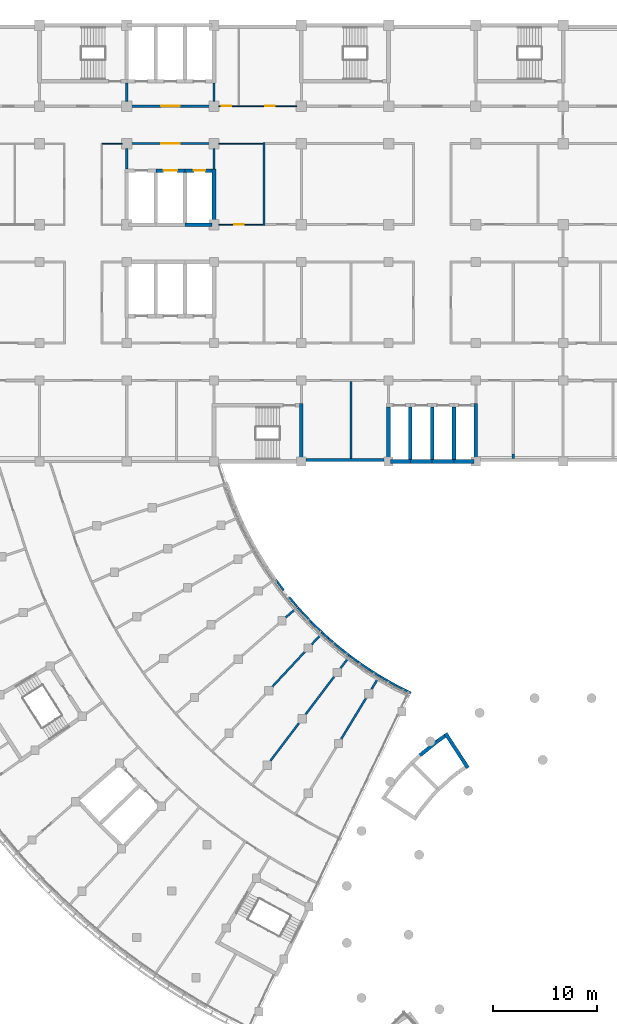
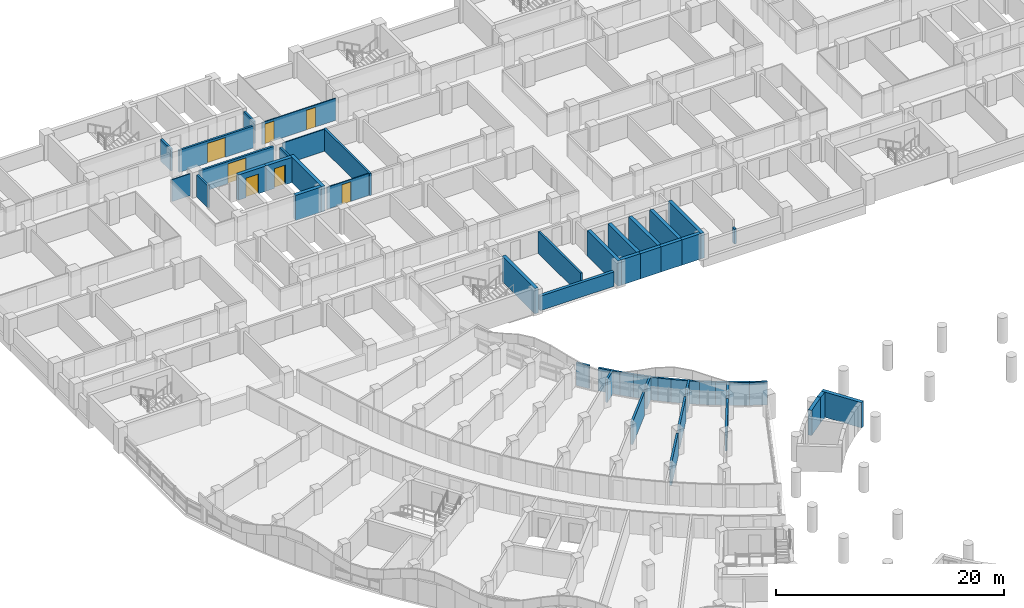
# One storey, part 46 of 89: 52 walls, 7 doors, 7 openings.
"""IFC4 building model written with IfcOpenShell, lengths in metres."""

from ifc_helpers import new_model, si_unit, direction, frame, frame_2d, origin, place, context, subcontext, project, spatial, rectangle, extrude, material, layer, layer_set, type_object, element, fill, save


model = new_model("IFC4")

# Units and contexts
model_context = context("Model", 3, precision=1e-05, world=origin(), true_north=direction((0.0, 1.0)))
body_context = subcontext(model_context, "Body", "Model", "MODEL_VIEW")
ifc_project = project(units=[si_unit("LENGTHUNIT", "METRE"), si_unit("AREAUNIT", "SQUARE_METRE"), si_unit("VOLUMEUNIT", "CUBIC_METRE"), si_unit("PLANEANGLEUNIT", "RADIAN"), si_unit("MASSUNIT", "GRAM", prefix="KILO")], contexts=[model_context])

# Site, building, storey
site_placement = place(None, origin())
site = spatial("IfcSite", under=ifc_project, at=site_placement, CompositionType="ELEMENT")
building_placement = place(site_placement, origin())
building = spatial("IfcBuilding", under=site, at=building_placement, Name="Bougainvillea Quay General Hospital", CompositionType="ELEMENT")
storey_placement = place(building_placement, frame((0.0, 0.0, 9.89990234375)))
storey = spatial("IfcBuildingStorey", under=building, at=storey_placement, Name="L01M", CompositionType="ELEMENT", Elevation=9.89990234375)

# Wall
ifc_material_1 = material(Name="Pale stone rainscreen cladding on insulated masonry backing, pale stone", Category="masonry")
ifc_layer_1 = layer(ifc_material_1, 0.300048828125)
ifc_layer_set_1 = layer_set([ifc_layer_1], Name="Pale stone rainscreen cladding on insulated masonry backing, pale stone")
wall_type_1 = type_object("IfcWallType", Name="External wall pale stone rainscreen 300", PredefinedType="STANDARD", material=ifc_layer_set_1)
wall_1_placement = place(storey_placement, frame((84.449951171875, 117.75, 0.0), z_axis=(0.0, 0.0, 1.0), x_axis=(1.0, 0.0, 0.0)))
element("IfcWall", 1, at=wall_1_placement, inside=storey, type_object=wall_type_1, Name="External wall wall/V4/L01M/p1/00a", PredefinedType="STANDARD", context=body_context, shape_type="SweptSolid", body=[
    extrude(rectangle(XDim=7.5, YDim=0.300048828125, at=frame_2d((3.75, 0.0))), origin(), (0.0, 0.0, 1.0), 1.550048828125),
])

# Wall, opening, door
ifc_material_2 = material(Name="Gypsum board partition on steel studs", Category="steel")
ifc_layer_2 = layer(ifc_material_2, 0.10009765625)
ifc_layer_set_2 = layer_set([ifc_layer_2], Name="Gypsum board partition on steel studs")
wall_type_2 = type_object("IfcWallType", Name="Partition 100 Gypsum board partition", PredefinedType="PARTITIONING", material=ifc_layer_set_2)
wall_2_placement = place(storey_placement, frame((80.300048828125, 140.39990234375, 0.0), z_axis=(0.0, 0.0, 1.0), x_axis=(-1.0, 0.0, 0.0)))
wall_2 = element("IfcWall", 2, at=wall_2_placement, inside=storey, type_object=wall_type_2, Name="Partition 100 mm", PredefinedType="PARTITIONING", context=body_context, shape_type="SweptSolid", body=[
    extrude(rectangle(XDim=4.25, YDim=0.10009765625, at=frame_2d((2.125, 0.0))), origin(), (0.0, 0.0, 1.0), 2.35009765625),
])
opening_1_placement = place(wall_2_placement, frame((1.85009765625, 0.0, 0.0)))
opening_1 = element("IfcOpeningElement", 3, at=opening_1_placement, cuts=wall_2, Name="Opening L01M.137", PredefinedType="OPENING", context=body_context, shape_type="SweptSolid", body=[
    extrude(rectangle(XDim=0.89990234375, YDim=2.10009765625, at=frame_2d((0.449951171875, 1.050048828125))), frame((0.0, 0.06005859375, 0.0), z_axis=(0.0, -1.0, 0.0), x_axis=(1.0, 0.0, 0.0)), (0.0, 0.0, 1.0), 0.1201171875),
])
ifc_material_3 = material(Name="Solid-core timber door leaf in steel frame", Category="steel")
door_type_1 = type_object("IfcDoorType", Name="Single leaf door 900x2100", OperationType="NOTDEFINED", PredefinedType="DOOR", material=ifc_material_3)
door_1_placement = place(opening_1_placement, frame((0.89990234375, 0.0, 0.0), z_axis=(0.0, 0.0, 1.0), x_axis=(-1.0, 0.0, 0.0)))
door_1 = element("IfcDoor", 4, at=door_1_placement, inside=storey, type_object=door_type_1, Name="DT07 L01M.137", OperationType="SINGLE_SWING_LEFT", OverallHeight=2.10009765625, OverallWidth=0.89990234375, PredefinedType="DOOR", context=body_context, shape_type="SweptSolid", body=[
    extrude(rectangle(XDim=0.89990234375, YDim=2.10009765625, at=frame_2d((0.449951171875, 1.050048828125))), frame((0.0, 0.02490234375, 0.0), z_axis=(0.0, -1.0, 0.0), x_axis=(1.0, 0.0, 0.0)), (0.0, 0.0, 1.0), 0.050048828125),
])
fill(opening_1, door_1)

# Wall, openings, doors
wall_3_placement = place(storey_placement, frame((76.050048828125, 151.800048828125, 0.0), z_axis=(0.0, 0.0, 1.0), x_axis=(1.0, 0.0, 0.0)))
wall_3 = element("IfcWall", 5, at=wall_3_placement, inside=storey, type_object=wall_type_2, Name="Partition 100 mm", PredefinedType="PARTITIONING", context=body_context, shape_type="SweptSolid", body=[
    extrude(rectangle(XDim=7.5, YDim=0.10009765625, at=frame_2d((3.75, 0.0))), origin(), (0.0, 0.0, 1.0), 2.35009765625),
])
opening_2_placement = place(wall_3_placement, frame((0.299072265625, 0.0, 0.0)))
opening_2 = element("IfcOpeningElement", 6, at=opening_2_placement, cuts=wall_3, Name="Opening L01M.134", PredefinedType="OPENING", context=body_context, shape_type="SweptSolid", body=[
    extrude(rectangle(XDim=0.89990234375, YDim=2.10009765625, at=frame_2d((0.449951171875, 1.050048828125))), frame((0.0, 0.06005859375, 0.0), z_axis=(0.0, -1.0, 0.0), x_axis=(1.0, 0.0, 0.0)), (0.0, 0.0, 1.0), 0.1201171875),
])
opening_3_placement = place(wall_3_placement, frame((4.4990234375, 0.0, 0.0)))
opening_3 = element("IfcOpeningElement", 7, at=opening_3_placement, cuts=wall_3, Name="Opening L01M.135", PredefinedType="OPENING", context=body_context, shape_type="SweptSolid", body=[
    extrude(rectangle(XDim=0.89990234375, YDim=2.10009765625, at=frame_2d((0.449951171875, 1.050048828125))), frame((0.0, 0.06005859375, 0.0), z_axis=(0.0, -1.0, 0.0), x_axis=(1.0, 0.0, 0.0)), (0.0, 0.0, 1.0), 0.1201171875),
])
door_2_placement = place(opening_2_placement, origin())
door_2 = element("IfcDoor", 8, at=door_2_placement, inside=storey, type_object=door_type_1, Name="DT07 L01M.134", OperationType="SINGLE_SWING_LEFT", OverallHeight=2.10009765625, OverallWidth=0.89990234375, PredefinedType="DOOR", context=body_context, shape_type="SweptSolid", body=[
    extrude(rectangle(XDim=0.89990234375, YDim=2.10009765625, at=frame_2d((0.449951171875, 1.050048828125))), frame((0.0, 0.02490234375, 0.0), z_axis=(0.0, -1.0, 0.0), x_axis=(1.0, 0.0, 0.0)), (0.0, 0.0, 1.0), 0.050048828125),
])
fill(opening_2, door_2)
door_3_placement = place(opening_3_placement, origin())
door_3 = element("IfcDoor", 9, at=door_3_placement, inside=storey, type_object=door_type_1, Name="DT07 L01M.135", OperationType="SINGLE_SWING_RIGHT", OverallHeight=2.10009765625, OverallWidth=0.89990234375, PredefinedType="DOOR", context=body_context, shape_type="SweptSolid", body=[
    extrude(rectangle(XDim=0.89990234375, YDim=2.10009765625, at=frame_2d((0.449951171875, 1.050048828125))), frame((0.0, 0.02490234375, 0.0), z_axis=(0.0, -1.0, 0.0), x_axis=(1.0, 0.0, 0.0)), (0.0, 0.0, 1.0), 0.050048828125),
])
fill(opening_3, door_3)

# Walls
wall_4_placement = place(storey_placement, frame((76.050048828125, 148.199951171875, 0.0), z_axis=(0.0, 0.0, 1.0), x_axis=(1.0, 0.0, 0.0)))
element("IfcWall", 10, at=wall_4_placement, inside=storey, type_object=wall_type_2, Name="Partition 100 mm", PredefinedType="PARTITIONING", context=body_context, shape_type="SweptSolid", body=[
    extrude(rectangle(XDim=4.25, YDim=0.10009765625, at=frame_2d((2.125, 0.0))), origin(), (0.0, 0.0, 1.0), 2.35009765625),
])
wall_5_placement = place(storey_placement, frame((64.85009765625, 148.199951171875, 0.0), z_axis=(0.0, 0.0, 1.0), x_axis=(1.0, 0.0, 0.0)))
element("IfcWall", 11, at=wall_5_placement, inside=storey, type_object=wall_type_2, Name="Partition 100 mm", PredefinedType="PARTITIONING", context=body_context, shape_type="SweptSolid", body=[
    extrude(rectangle(XDim=1.89990234375, YDim=0.10009765625, at=frame_2d((0.949951171875, 0.0))), origin(), (0.0, 0.0, 1.0), 2.35009765625),
])

# Wall, opening, door
ifc_material_4 = material(Name="Fire-rated autoclaved aerated block wall, plastered")
ifc_layer_3 = layer(ifc_material_4, 0.199951171875)
ifc_layer_set_3 = layer_set([ifc_layer_3], Name="Fire-rated autoclaved aerated block wall, plastered")
wall_type_3 = type_object("IfcWallType", Name="Partition 200 Fire-rated autoclaved aerated block wall EI 120", PredefinedType="SOLIDWALL", material=ifc_layer_set_3)
wall_6_placement = place(storey_placement, frame((67.64990234375, 151.800048828125, 0.0), z_axis=(0.0, 0.0, 1.0), x_axis=(1.0, 0.0, 0.0)))
wall_6 = element("IfcWall", 12, at=wall_6_placement, inside=storey, type_object=wall_type_3, Name="Partition 200 mm EI 120", PredefinedType="SOLIDWALL", context=body_context, shape_type="SweptSolid", body=[
    extrude(rectangle(XDim=7.5, YDim=0.199951171875, at=frame_2d((3.75, 0.0))), origin(), (0.0, 0.0, 1.0), 2.35009765625),
])
opening_4_placement = place(wall_6_placement, frame((2.85009765625, 0.0, 0.0)))
opening_4 = element("IfcOpeningElement", 13, at=opening_4_placement, cuts=wall_6, Name="Opening L01M.047", PredefinedType="OPENING", context=body_context, shape_type="SweptSolid", body=[
    extrude(rectangle(XDim=1.800048828125, YDim=2.10009765625, at=frame_2d((0.89990234375, 1.050048828125))), frame((0.0, 0.10986328125, 0.0), z_axis=(0.0, -1.0, 0.0), x_axis=(1.0, 0.0, 0.0)), (0.0, 0.0, 1.0), 0.219970703125),
])
ifc_material_5 = material(Name="Steel fire door leaves in steel frame", Category="steel")
door_type_2 = type_object("IfcDoorType", Name="Steel double leaf door 1800x2100 FD60", OperationType="DOUBLE_DOOR_SINGLE_SWING", PredefinedType="DOOR", material=ifc_material_5)
door_4_placement = place(opening_4_placement, origin())
door_4 = element("IfcDoor", 14, at=door_4_placement, inside=storey, type_object=door_type_2, Name="DT05 L01M.047", OperationType="DOUBLE_DOOR_SINGLE_SWING", OverallHeight=2.10009765625, OverallWidth=1.800048828125, PredefinedType="DOOR", context=body_context, shape_type="SweptSolid", body=[
    extrude(rectangle(XDim=1.800048828125, YDim=2.10009765625, at=frame_2d((0.89990234375, 1.050048828125))), frame((0.0, 0.02490234375, 0.0), z_axis=(0.0, -1.0, 0.0), x_axis=(1.0, 0.0, 0.0)), (0.0, 0.0, 1.0), 0.050048828125),
])
fill(opening_4, door_4)

wall_7_placement = place(storey_placement, frame((67.64990234375, 148.199951171875, 0.0), z_axis=(0.0, 0.0, 1.0), x_axis=(1.0, 0.0, 0.0)))
wall_7 = element("IfcWall", 15, at=wall_7_placement, inside=storey, type_object=wall_type_3, Name="Partition 200 mm EI 120", PredefinedType="SOLIDWALL", context=body_context, shape_type="SweptSolid", body=[
    extrude(rectangle(XDim=7.5, YDim=0.199951171875, at=frame_2d((3.75, 0.0))), origin(), (0.0, 0.0, 1.0), 2.35009765625),
])
opening_5_placement = place(wall_7_placement, frame((2.85009765625, 0.0, 0.0)))
opening_5 = element("IfcOpeningElement", 16, at=opening_5_placement, cuts=wall_7, Name="Opening L01M.043", PredefinedType="OPENING", context=body_context, shape_type="SweptSolid", body=[
    extrude(rectangle(XDim=1.800048828125, YDim=2.10009765625, at=frame_2d((0.89990234375, 1.050048828125))), frame((0.0, 0.10986328125, 0.0), z_axis=(0.0, -1.0, 0.0), x_axis=(1.0, 0.0, 0.0)), (0.0, 0.0, 1.0), 0.219970703125),
])
door_5_placement = place(opening_5_placement, frame((1.800048828125, 0.0, 0.0), z_axis=(0.0, 0.0, 1.0), x_axis=(-1.0, 0.0, 0.0)))
door_5 = element("IfcDoor", 17, at=door_5_placement, inside=storey, type_object=door_type_2, Name="DT05 L01M.043", OperationType="DOUBLE_DOOR_SINGLE_SWING", OverallHeight=2.10009765625, OverallWidth=1.800048828125, PredefinedType="DOOR", context=body_context, shape_type="SweptSolid", body=[
    extrude(rectangle(XDim=1.800048828125, YDim=2.10009765625, at=frame_2d((0.89990234375, 1.050048828125))), frame((0.0, 0.02490234375, 0.0), z_axis=(0.0, -1.0, 0.0), x_axis=(1.0, 0.0, 0.0)), (0.0, 0.0, 1.0), 0.050048828125),
])
fill(opening_5, door_5)

# Walls
wall_8_placement = place(storey_placement, frame((88.800048828125, 117.89990234375, 0.0), z_axis=(0.0, 0.0, 1.0), x_axis=(0.0, 1.0, 0.0)))
element("IfcWall", 18, at=wall_8_placement, inside=storey, type_object=wall_type_3, Name="Partition 200 mm EI 120", PredefinedType="SOLIDWALL", context=body_context, shape_type="SweptSolid", body=[
    extrude(rectangle(XDim=7.400146484375, YDim=0.199951171875, at=frame_2d((3.7001953125, 0.0))), origin(), (0.0, 0.0, 1.0), 2.35009765625),
])
wall_9_placement = place(storey_placement, frame((104.39990234375, 117.89990234375, 0.0), z_axis=(0.0, 0.0, 1.0), x_axis=(0.0, 1.0, 0.0)))
element("IfcWall", 19, at=wall_9_placement, inside=storey, type_object=wall_type_3, Name="Partition 200 mm EI 120", PredefinedType="SOLIDWALL", context=body_context, shape_type="SweptSolid", body=[
    extrude(rectangle(XDim=0.400146484375, YDim=0.199951171875, at=frame_2d((0.2001953125, 0.0))), origin(), (0.0, 0.0, 1.0), 1.580078125),
])
for number, where, z_axis, x_axis, name in (
    (20, (67.199951171875, 145.77490234375, 0.0), (0.0, 0.0, 1.0), (0.0, 1.0, 0.0), "Partition 200 mm EI 120"),
    (21, (75.60009765625, 145.77490234375, 0.0), (0.0, 0.0, 1.0), (0.0, 1.0, 0.0), "Partition 200 mm EI 120"),
):
    element("IfcWall", number, at=place(storey_placement, frame(where, z_axis=z_axis, x_axis=x_axis)), inside=storey, type_object=wall_type_3, Name=name, PredefinedType="SOLIDWALL", context=body_context, shape_type="SweptSolid", body=[
        extrude(rectangle(XDim=1.97509765625, YDim=0.199951171875, at=frame_2d((0.987548828125, 0.0))), origin(), (0.0, 0.0, 1.0), 2.35009765625),
    ])
for number, where, z_axis, x_axis, name in (
    (22, (67.199951171875, 152.25, 0.0), (0.0, 0.0, 1.0), (0.0, 1.0, 0.0), "Partition 200 mm EI 120"),
    (23, (75.60009765625, 152.25, 0.0), (0.0, 0.0, 1.0), (0.0, 1.0, 0.0), "Partition 200 mm EI 120"),
):
    element("IfcWall", number, at=place(storey_placement, frame(where, z_axis=z_axis, x_axis=x_axis)), inside=storey, type_object=wall_type_3, Name=name, PredefinedType="SOLIDWALL", context=body_context, shape_type="SweptSolid", body=[
        extrude(rectangle(XDim=1.77490234375, YDim=0.199951171875, at=frame_2d((0.887451171875, 0.0))), origin(), (0.0, 0.0, 1.0), 2.35009765625),
    ])
ifc_layer_4 = layer(ifc_material_4, 0.199951171875)
ifc_layer_set_4 = layer_set([ifc_layer_4], Name="Fire-rated autoclaved aerated block wall, plastered")
wall_type_4 = type_object("IfcWallType", Name="Partition 200 Fire-rated autoclaved aerated block wall EI 60", PredefinedType="SOLIDWALL", material=ifc_layer_set_4)
wall_10_placement = place(storey_placement, frame((80.39990234375, 140.300048828125, 0.0), z_axis=(0.0, 0.0, 1.0), x_axis=(0.0, 1.0, 0.0)))
element("IfcWall", 24, at=wall_10_placement, inside=storey, type_object=wall_type_4, Name="Partition 200 mm EI 60", PredefinedType="SOLIDWALL", context=body_context, shape_type="SweptSolid", body=[
    extrude(rectangle(XDim=8.0, YDim=0.199951171875, at=frame_2d((4.0, 0.0))), origin(), (0.0, 0.0, 1.0), 2.35009765625),
])
wall_11_placement = place(storey_placement, frame((87.85498046875, 90.909912109375, 0.0), z_axis=(0.0, 0.0, 1.0), x_axis=(0.519677603519, 0.85436244557, 0.0)))
element("IfcWall", 25, at=wall_11_placement, inside=storey, type_object=wall_type_4, Name="Partition 200 mm EI 60", PredefinedType="SOLIDWALL", context=body_context, shape_type="SweptSolid", body=[
    extrude(rectangle(XDim=4.5439453125, YDim=0.199951171875, at=frame_2d((2.27197265625, 0.0))), origin(), (0.0, 0.0, 1.0), 2.4501953125),
])
wall_12_placement = place(storey_placement, frame((90.764892578125, 95.69384765625, 0.0), z_axis=(0.0, 0.0, 1.0), x_axis=(0.519646464926, 0.854381385267, 0.0)))
element("IfcWall", 26, at=wall_12_placement, inside=storey, type_object=wall_type_4, Name="Partition 200 mm EI 60", PredefinedType="SOLIDWALL", context=body_context, shape_type="SweptSolid", body=[
    extrude(rectangle(XDim=1.572509765625, YDim=0.199951171875, at=frame_2d((0.7861328125, 0.0))), origin(), (0.0, 0.0, 1.0), 2.4501953125),
])
wall_13_placement = place(storey_placement, frame((81.034912109375, 88.791748046875, 0.0), z_axis=(0.0, 0.0, 1.0), x_axis=(0.603552800748, 0.797323031594, 0.0)))
element("IfcWall", 27, at=wall_13_placement, inside=storey, type_object=wall_type_4, Name="Partition 200 mm EI 60", PredefinedType="SOLIDWALL", context=body_context, shape_type="SweptSolid", body=[
    extrude(rectangle(XDim=4.533203125, YDim=0.199951171875, at=frame_2d((2.2666015625, 0.0))), origin(), (0.0, 0.0, 1.0), 2.4501953125),
])
wall_14_placement = place(storey_placement, frame((84.414794921875, 93.256591796875, 0.0), z_axis=(0.0, 0.0, 1.0), x_axis=(0.603553756077, 0.797322308434, 0.0)))
element("IfcWall", 28, at=wall_14_placement, inside=storey, type_object=wall_type_4, Name="Partition 200 mm EI 60", PredefinedType="SOLIDWALL", context=body_context, shape_type="SweptSolid", body=[
    extrude(rectangle(XDim=4.531982421875, YDim=0.199951171875, at=frame_2d((2.26611328125, 0.0))), origin(), (0.0, 0.0, 1.0), 2.4501953125),
])
wall_15_placement = place(storey_placement, frame((87.7939453125, 97.720458984375, 0.0), z_axis=(0.0, 0.0, 1.0), x_axis=(0.603605866951, 0.79728285908, 0.0)))
element("IfcWall", 29, at=wall_15_placement, inside=storey, type_object=wall_type_4, Name="Partition 200 mm EI 60", PredefinedType="SOLIDWALL", context=body_context, shape_type="SweptSolid", body=[
    extrude(rectangle(XDim=1.568115234375, YDim=0.199951171875, at=frame_2d((0.7841796875, 0.0))), origin(), (0.0, 0.0, 1.0), 2.4501953125),
])
wall_16_placement = place(storey_placement, frame((81.19140625, 95.89697265625, 0.0), z_axis=(0.0, 0.0, 1.0), x_axis=(0.681180116782, 0.732115870952, 0.0)))
element("IfcWall", 30, at=wall_16_placement, inside=storey, type_object=wall_type_4, Name="Partition 200 mm EI 60", PredefinedType="SOLIDWALL", context=body_context, shape_type="SweptSolid", body=[
    extrude(rectangle(XDim=4.635009765625, YDim=0.199951171875, at=frame_2d((2.3173828125, 0.0))), origin(), (0.0, 0.0, 1.0), 2.4501953125),
])
wall_17_placement = place(storey_placement, frame((85.00537109375, 99.995849609375, 0.0), z_axis=(0.0, 0.0, 1.0), x_axis=(0.681162222718, 0.732132519658, 0.0)))
element("IfcWall", 31, at=wall_17_placement, inside=storey, type_object=wall_type_4, Name="Partition 200 mm EI 60", PredefinedType="SOLIDWALL", context=body_context, shape_type="SweptSolid", body=[
    extrude(rectangle(XDim=1.618896484375, YDim=0.199951171875, at=frame_2d((0.8095703125, 0.0))), origin(), (0.0, 0.0, 1.0), 2.4501953125),
])
wall_18_placement = place(storey_placement, frame((82.50732421875, 102.58935546875, 0.0), z_axis=(0.0, 0.0, 1.0), x_axis=(0.751793531826, 0.659398578634, 0.0)))
element("IfcWall", 32, at=wall_18_placement, inside=storey, type_object=wall_type_4, Name="Partition 200 mm EI 60", PredefinedType="SOLIDWALL", context=body_context, shape_type="SweptSolid", body=[
    extrude(rectangle(XDim=1.60400390625, YDim=0.199951171875, at=frame_2d((0.802001953125, 0.0))), origin(), (0.0, 0.0, 1.0), 2.4501953125),
])
wall_19_placement = place(storey_placement, frame((91.614501953125, 96.903564453125, 0.0), z_axis=(0.0, 0.0, 1.0), x_axis=(0.867786851027, -0.496936596746, 0.0)))
element("IfcWall", 33, at=wall_19_placement, inside=storey, type_object=wall_type_4, Name="Partition 200 mm EI 60", PredefinedType="SOLIDWALL", context=body_context, shape_type="SweptSolid", body=[
    extrude(rectangle(XDim=1.779541015625, YDim=0.199951171875, at=frame_2d((0.8896484375, 0.0))), origin(), (0.0, 0.0, 1.0), 2.4501953125),
])
wall_20_placement = place(storey_placement, frame((93.156982421875, 96.02587890625, 0.0), z_axis=(0.0, 0.0, 1.0), x_axis=(0.891654269634, -0.452716979408, 0.0)))
element("IfcWall", 34, at=wall_20_placement, inside=storey, type_object=wall_type_4, Name="Partition 200 mm EI 60", PredefinedType="SOLIDWALL", context=body_context, shape_type="SweptSolid", body=[
    extrude(rectangle(XDim=1.576904296875, YDim=0.199951171875, at=frame_2d((0.78857421875, 0.0))), origin(), (0.0, 0.0, 1.0), 2.4501953125),
])
wall_21_placement = place(storey_placement, frame((87.45361328125, 99.861083984375, 0.0), z_axis=(0.0, 0.0, 1.0), x_axis=(0.784366588886, -0.620297552986, 0.0)))
element("IfcWall", 35, at=wall_21_placement, inside=storey, type_object=wall_type_4, Name="Partition 200 mm EI 60", PredefinedType="SOLIDWALL", context=body_context, shape_type="SweptSolid", body=[
    extrude(rectangle(XDim=1.4658203125, YDim=0.199951171875, at=frame_2d((0.73291015625, 0.0))), origin(), (0.0, 0.0, 1.0), 2.4501953125),
])
wall_22_placement = place(storey_placement, frame((84.9912109375, 102.12353515625, 0.0), z_axis=(0.0, 0.0, 1.0), x_axis=(0.718428269031, -0.695601051076, 0.0)))
element("IfcWall", 36, at=wall_22_placement, inside=storey, type_object=wall_type_4, Name="Partition 200 mm EI 60", PredefinedType="SOLIDWALL", context=body_context, shape_type="SweptSolid", body=[
    extrude(rectangle(XDim=1.3583984375, YDim=0.199951171875, at=frame_2d((0.67919921875, 0.0))), origin(), (0.0, 0.0, 1.0), 2.4501953125),
])
wall_23_placement = place(storey_placement, frame((81.559326171875, 106.20361328125, 0.0), z_axis=(0.0, 0.0, 1.0), x_axis=(0.596105693605, -0.802905973356, 0.0)))
element("IfcWall", 37, at=wall_23_placement, inside=storey, type_object=wall_type_4, Name="Partition 200 mm EI 60", PredefinedType="SOLIDWALL", context=body_context, shape_type="SweptSolid", body=[
    extrude(rectangle(XDim=1.256103515625, YDim=0.199951171875, at=frame_2d((0.6279296875, 0.0))), origin(), (0.0, 0.0, 1.0), 2.4501953125),
])
wall_24_placement = place(storey_placement, frame((82.827880859375, 104.5400390625, 0.0), z_axis=(0.0, 0.0, 1.0), x_axis=(0.645249445925, -0.76397195795, 0.0)))
element("IfcWall", 38, at=wall_24_placement, inside=storey, type_object=wall_type_4, Name="Partition 200 mm EI 60", PredefinedType="SOLIDWALL", context=body_context, shape_type="SweptSolid", body=[
    extrude(rectangle(XDim=1.153564453125, YDim=0.199951171875, at=frame_2d((0.57666015625, 0.0))), origin(), (0.0, 0.0, 1.0), 2.4501953125),
])
wall_25_placement = place(storey_placement, frame((84.14599609375, 103.01220703125, 0.0), z_axis=(0.0, 0.0, 1.0), x_axis=(0.691353330866, -0.722516831569, 0.0)))
element("IfcWall", 39, at=wall_25_placement, inside=storey, type_object=wall_type_4, Name="Partition 200 mm EI 60", PredefinedType="SOLIDWALL", context=body_context, shape_type="SweptSolid", body=[
    extrude(rectangle(XDim=1.22998046875, YDim=0.199951171875, at=frame_2d((0.614990234375, 0.0))), origin(), (0.0, 0.0, 1.0), 2.4501953125),
])
wall_26_placement = place(storey_placement, frame((89.439208984375, 98.3291015625, 0.0), z_axis=(0.0, 0.0, 1.0), x_axis=(0.827261890564, -0.561816486427, 0.0)))
element("IfcWall", 40, at=wall_26_placement, inside=storey, type_object=wall_type_4, Name="Partition 200 mm EI 60", PredefinedType="SOLIDWALL", context=body_context, shape_type="SweptSolid", body=[
    extrude(rectangle(XDim=1.4208984375, YDim=0.199951171875, at=frame_2d((0.71044921875, 0.0))), origin(), (0.0, 0.0, 1.0), 2.4501953125),
])
wall_27_placement = place(storey_placement, frame((90.614013671875, 97.534912109375, 0.0), z_axis=(0.0, 0.0, 1.0), x_axis=(0.843671684064, -0.536859469049, 0.0)))
element("IfcWall", 41, at=wall_27_placement, inside=storey, type_object=wall_type_4, Name="Partition 200 mm EI 60", PredefinedType="SOLIDWALL", context=body_context, shape_type="SweptSolid", body=[
    extrude(rectangle(XDim=0.98583984375, YDim=0.199951171875, at=frame_2d((0.492919921875, 0.0))), origin(), (0.0, 0.0, 1.0), 2.4501953125),
])
wall_28_placement = place(storey_placement, frame((86.60205078125, 100.593994140625, 0.0), z_axis=(0.0, 0.0, 1.0), x_axis=(0.760081654582, -0.649827575875, 0.0)))
element("IfcWall", 42, at=wall_28_placement, inside=storey, type_object=wall_type_4, Name="Partition 200 mm EI 60", PredefinedType="SOLIDWALL", context=body_context, shape_type="SweptSolid", body=[
    extrude(rectangle(XDim=1.127197265625, YDim=0.199951171875, at=frame_2d((0.5634765625, 0.0))), origin(), (0.0, 0.0, 1.0), 2.4501953125),
])
wall_29_placement = place(storey_placement, frame((88.76171875, 98.8310546875, 0.0), z_axis=(0.0, 0.0, 1.0), x_axis=(0.80608396723, -0.59180118095, 0.0)))
element("IfcWall", 43, at=wall_29_placement, inside=storey, type_object=wall_type_4, Name="Partition 200 mm EI 60", PredefinedType="SOLIDWALL", context=body_context, shape_type="SweptSolid", body=[
    extrude(rectangle(XDim=0.846435546875, YDim=0.199951171875, at=frame_2d((0.42333984375, 0.0))), origin(), (0.0, 0.0, 1.0), 2.4501953125),
])
wall_30_placement = place(storey_placement, frame((83.705810546875, 103.505615234375, 0.0), z_axis=(0.0, 0.0, 1.0), x_axis=(0.669188156852, -0.743093002746, 0.0)))
element("IfcWall", 44, at=wall_30_placement, inside=storey, type_object=wall_type_4, Name="Partition 200 mm EI 60", PredefinedType="SOLIDWALL", context=body_context, shape_type="SweptSolid", body=[
    extrude(rectangle(XDim=0.6640625, YDim=0.199951171875, at=frame_2d((0.33203125, 0.0))), origin(), (0.0, 0.0, 1.0), 2.4501953125),
])
wall_31_placement = place(storey_placement, frame((86.114990234375, 101.0400390625, 0.0), z_axis=(0.0, 0.0, 1.0), x_axis=(0.740506033946, -0.672049710728, 0.0)))
element("IfcWall", 45, at=wall_31_placement, inside=storey, type_object=wall_type_4, Name="Partition 200 mm EI 60", PredefinedType="SOLIDWALL", context=body_context, shape_type="SweptSolid", body=[
    extrude(rectangle(XDim=0.663330078125, YDim=0.199951171875, at=frame_2d((0.33154296875, 0.0))), origin(), (0.0, 0.0, 1.0), 2.4501953125),
])

# Wall, opening, door
ifc_material_6 = material(Name="Concrete C40", Category="concrete")
ifc_layer_5 = layer(ifc_material_6, 0.35009765625)
ifc_layer_set_5 = layer_set([ifc_layer_5], Name="Concrete C40")
wall_type_5 = type_object("IfcWallType", Name="RC SHEAR WALL 350 C40", PredefinedType="SHEAR", material=ifc_layer_set_5)
wall_32_placement = place(storey_placement, frame((70.0, 145.60009765625, 0.0), z_axis=(0.0, 0.0, 1.0), x_axis=(1.0, 0.0, 0.0)))
wall_32 = element("IfcWall", 46, at=wall_32_placement, inside=storey, type_object=wall_type_5, Name="Shear wall L01M", PredefinedType="SHEAR", context=body_context, shape_type="SweptSolid", body=[
    extrude(rectangle(XDim=2.800048828125, YDim=0.35009765625, at=frame_2d((1.39990234375, 0.0))), origin(), (0.0, 0.0, 1.0), 2.7001953125),
])
opening_6_placement = place(wall_32_placement, frame((0.75, 0.0, 0.0)))
opening_6 = element("IfcOpeningElement", 47, at=opening_6_placement, cuts=wall_32, Name="Opening LD-A1.2-L01M", PredefinedType="OPENING", context=body_context, shape_type="SweptSolid", body=[
    extrude(rectangle(XDim=1.300048828125, YDim=2.10009765625, at=frame_2d((0.64990234375, 1.050048828125))), frame((0.0, 0.18505859375, 0.0), z_axis=(0.0, -1.0, 0.0), x_axis=(1.0, 0.0, 0.0)), (0.0, 0.0, 1.0), 0.3701171875),
])
ifc_material_7 = material(Name="Stainless steel centre-opening landing door", Category="steel")
door_type_3 = type_object("IfcDoorType", Name="Lift landing door 1300x2100 E 120", OperationType="DOUBLE_DOOR_SLIDING", PredefinedType="DOOR", material=ifc_material_7)
door_6_placement = place(opening_6_placement, origin())
door_6 = element("IfcDoor", 48, at=door_6_placement, inside=storey, type_object=door_type_3, Name="Lift landing door LB-A1-2 L01M", OperationType="DOUBLE_DOOR_SLIDING", OverallHeight=2.10009765625, OverallWidth=1.300048828125, PredefinedType="DOOR", context=body_context, shape_type="SweptSolid", body=[
    extrude(rectangle(XDim=1.300048828125, YDim=2.10009765625, at=frame_2d((0.64990234375, 1.050048828125))), frame((0.0, 0.02490234375, 0.0), z_axis=(0.0, -1.0, 0.0), x_axis=(1.0, 0.0, 0.0)), (0.0, 0.0, 1.0), 0.050048828125),
])
fill(opening_6, door_6)

# Wall
wall_33_placement = place(storey_placement, frame((72.800048828125, 140.39990234375, 0.0), z_axis=(0.0, 0.0, 1.0), x_axis=(1.0, 0.0, 0.0)))
element("IfcWall", 49, at=wall_33_placement, inside=storey, type_object=wall_type_5, Name="Shear wall L01M", PredefinedType="SHEAR", context=body_context, shape_type="SweptSolid", body=[
    extrude(rectangle(XDim=2.625, YDim=0.35009765625, at=frame_2d((1.3125, 0.0))), origin(), (0.0, 0.0, 1.0), 2.7001953125),
])

# Wall, opening, door
wall_34_placement = place(storey_placement, frame((72.800048828125, 145.60009765625, 0.0), z_axis=(0.0, 0.0, 1.0), x_axis=(1.0, 0.0, 0.0)))
wall_34 = element("IfcWall", 50, at=wall_34_placement, inside=storey, type_object=wall_type_5, Name="Shear wall L01M", PredefinedType="SHEAR", context=body_context, shape_type="SweptSolid", body=[
    extrude(rectangle(XDim=2.625, YDim=0.35009765625, at=frame_2d((1.3125, 0.0))), origin(), (0.0, 0.0, 1.0), 2.7001953125),
])
opening_7_placement = place(wall_34_placement, frame((0.85009765625, 0.0, 0.0)))
opening_7 = element("IfcOpeningElement", 51, at=opening_7_placement, cuts=wall_34, Name="Opening LD-A1.3-L01M", PredefinedType="OPENING", context=body_context, shape_type="SweptSolid", body=[
    extrude(rectangle(XDim=1.10009765625, YDim=2.10009765625, at=frame_2d((0.550048828125, 1.050048828125))), frame((0.0, 0.18505859375, 0.0), z_axis=(0.0, -1.0, 0.0), x_axis=(1.0, 0.0, 0.0)), (0.0, 0.0, 1.0), 0.3701171875),
])
door_type_4 = type_object("IfcDoorType", Name="Lift landing door 1100x2100 E 120", OperationType="DOUBLE_DOOR_SLIDING", PredefinedType="DOOR", material=ifc_material_7)
door_7_placement = place(opening_7_placement, origin())
door_7 = element("IfcDoor", 52, at=door_7_placement, inside=storey, type_object=door_type_4, Name="Lift landing door LB-A1-3 L01M", OperationType="DOUBLE_DOOR_SLIDING", OverallHeight=2.10009765625, OverallWidth=1.10009765625, PredefinedType="DOOR", context=body_context, shape_type="SweptSolid", body=[
    extrude(rectangle(XDim=1.10009765625, YDim=2.10009765625, at=frame_2d((0.550048828125, 1.050048828125))), frame((0.0, 0.02490234375, 0.0), z_axis=(0.0, -1.0, 0.0), x_axis=(1.0, 0.0, 0.0)), (0.0, 0.0, 1.0), 0.050048828125),
])
fill(opening_7, door_7)

# Walls
wall_35_placement = place(storey_placement, frame((75.60009765625, 140.22509765625, 0.0), z_axis=(0.0, 0.0, 1.0), x_axis=(0.0, 1.0, 0.0)))
element("IfcWall", 53, at=wall_35_placement, inside=storey, type_object=wall_type_5, Name="Shear wall L01M", PredefinedType="SHEAR", context=body_context, shape_type="SweptSolid", body=[
    extrude(rectangle(XDim=5.5498046875, YDim=0.35009765625, at=frame_2d((2.77490234375, 0.0))), origin(), (0.0, 0.0, 1.0), 2.7001953125),
])
wall_36_placement = place(storey_placement, frame((84.0, 117.425048828125, 0.0), z_axis=(0.0, 0.0, 1.0), x_axis=(0.0, 1.0, 0.0)))
element("IfcWall", 54, at=wall_36_placement, inside=storey, type_object=wall_type_5, Name="Shear wall L01M", PredefinedType="SHEAR", context=body_context, shape_type="SweptSolid", body=[
    extrude(rectangle(XDim=5.75, YDim=0.35009765625, at=frame_2d((2.875, 0.0))), origin(), (0.0, 0.0, 1.0), 2.7001953125),
])
wall_37_placement = place(storey_placement, frame((92.39990234375, 117.425048828125, 0.0), z_axis=(0.0, 0.0, 1.0), x_axis=(0.0, 1.0, 0.0)))
element("IfcWall", 55, at=wall_37_placement, inside=storey, type_object=wall_type_5, Name="Shear wall L01M", PredefinedType="SHEAR", context=body_context, shape_type="SweptSolid", body=[
    extrude(rectangle(XDim=5.39990234375, YDim=0.35009765625, at=frame_2d((2.699951171875, 0.0))), origin(), (0.0, 0.0, 1.0), 2.7001953125),
])
wall_38_placement = place(storey_placement, frame((92.574951171875, 117.60009765625, 0.0), z_axis=(0.0, 0.0, 1.0), x_axis=(1.0, 0.0, 0.0)))
element("IfcWall", 56, at=wall_38_placement, inside=storey, type_object=wall_type_5, Name="Shear wall L01M", PredefinedType="SHEAR", context=body_context, shape_type="SweptSolid", body=[
    extrude(rectangle(XDim=1.925048828125, YDim=0.35009765625, at=frame_2d((0.96240234375, 0.0))), origin(), (0.0, 0.0, 1.0), 2.7001953125),
])
wall_39_placement = place(storey_placement, frame((94.5, 117.60009765625, 0.0), z_axis=(0.0, 0.0, 1.0), x_axis=(1.0, 0.0, 0.0)))
element("IfcWall", 57, at=wall_39_placement, inside=storey, type_object=wall_type_5, Name="Shear wall L01M", PredefinedType="SHEAR", context=body_context, shape_type="SweptSolid", body=[
    extrude(rectangle(XDim=2.10009765625, YDim=0.35009765625, at=frame_2d((1.050048828125, 0.0))), origin(), (0.0, 0.0, 1.0), 2.7001953125),
])
wall_40_placement = place(storey_placement, frame((94.5, 117.77490234375, 0.0), z_axis=(0.0, 0.0, 1.0), x_axis=(0.0, 1.0, 0.0)))
element("IfcWall", 58, at=wall_40_placement, inside=storey, type_object=wall_type_5, Name="Shear wall L01M", PredefinedType="SHEAR", context=body_context, shape_type="SweptSolid", body=[
    extrude(rectangle(XDim=5.050048828125, YDim=0.35009765625, at=frame_2d((2.52490234375, 0.0))), origin(), (0.0, 0.0, 1.0), 2.7001953125),
])
wall_41_placement = place(storey_placement, frame((96.60009765625, 117.60009765625, 0.0), z_axis=(0.0, 0.0, 1.0), x_axis=(1.0, 0.0, 0.0)))
element("IfcWall", 59, at=wall_41_placement, inside=storey, type_object=wall_type_5, Name="Shear wall L01M", PredefinedType="SHEAR", context=body_context, shape_type="SweptSolid", body=[
    extrude(rectangle(XDim=2.099853515625, YDim=0.35009765625, at=frame_2d((1.0498046875, 0.0))), origin(), (0.0, 0.0, 1.0), 2.7001953125),
])
wall_42_placement = place(storey_placement, frame((96.60009765625, 117.77490234375, 0.0), z_axis=(0.0, 0.0, 1.0), x_axis=(0.0, 1.0, 0.0)))
element("IfcWall", 60, at=wall_42_placement, inside=storey, type_object=wall_type_5, Name="Shear wall L01M", PredefinedType="SHEAR", context=body_context, shape_type="SweptSolid", body=[
    extrude(rectangle(XDim=5.050048828125, YDim=0.35009765625, at=frame_2d((2.52490234375, 0.0))), origin(), (0.0, 0.0, 1.0), 2.7001953125),
])
wall_43_placement = place(storey_placement, frame((97.086669921875, 90.66162109375, 0.0), z_axis=(0.0, 0.0, 1.0), x_axis=(-0.777231602748, -0.629214618146, 0.0)))
element("IfcWall", 61, at=wall_43_placement, inside=storey, type_object=wall_type_5, Name="Shear wall L01M", PredefinedType="SHEAR", context=body_context, shape_type="SweptSolid", body=[
    extrude(rectangle(XDim=2.142578125, YDim=0.35009765625, at=frame_2d((1.0712890625, 0.0))), origin(), (0.0, 0.0, 1.0), 2.7001953125),
])
wall_44_placement = place(storey_placement, frame((97.09765625, 90.669921875, 0.0), z_axis=(0.0, 0.0, 1.0), x_axis=(0.823914707919, 0.566713820261, 0.0)))
element("IfcWall", 62, at=wall_44_placement, inside=storey, type_object=wall_type_5, Name="Shear wall L01M", PredefinedType="SHEAR", context=body_context, shape_type="SweptSolid", body=[
    extrude(rectangle(XDim=0.89599609375, YDim=0.35009765625, at=frame_2d((0.447998046875, 0.0))), origin(), (0.0, 0.0, 1.0), 2.7001953125),
])
wall_45_placement = place(storey_placement, frame((97.884765625, 91.423828125, 0.0), z_axis=(0.0, 0.0, 1.0), x_axis=(0.544577782893, -0.838710342359, 0.0)))
element("IfcWall", 63, at=wall_45_placement, inside=storey, type_object=wall_type_5, Name="Shear wall L01M", PredefinedType="SHEAR", context=body_context, shape_type="SweptSolid", body=[
    extrude(rectangle(XDim=3.950927734375, YDim=0.35009765625, at=frame_2d((1.9755859375, 0.0))), origin(), (0.0, 0.0, 1.0), 2.7001953125),
])
wall_46_placement = place(storey_placement, frame((98.699951171875, 117.60009765625, 0.0), z_axis=(0.0, 0.0, 1.0), x_axis=(1.0, 0.0, 0.0)))
element("IfcWall", 64, at=wall_46_placement, inside=storey, type_object=wall_type_5, Name="Shear wall L01M", PredefinedType="SHEAR", context=body_context, shape_type="SweptSolid", body=[
    extrude(rectangle(XDim=1.925048828125, YDim=0.35009765625, at=frame_2d((0.96240234375, 0.0))), origin(), (0.0, 0.0, 1.0), 2.7001953125),
])
wall_47_placement = place(storey_placement, frame((98.699951171875, 117.77490234375, 0.0), z_axis=(0.0, 0.0, 1.0), x_axis=(0.0, 1.0, 0.0)))
element("IfcWall", 65, at=wall_47_placement, inside=storey, type_object=wall_type_5, Name="Shear wall L01M", PredefinedType="SHEAR", context=body_context, shape_type="SweptSolid", body=[
    extrude(rectangle(XDim=5.050048828125, YDim=0.35009765625, at=frame_2d((2.52490234375, 0.0))), origin(), (0.0, 0.0, 1.0), 2.7001953125),
])
wall_48_placement = place(storey_placement, frame((100.800048828125, 117.425048828125, 0.0), z_axis=(0.0, 0.0, 1.0), x_axis=(0.0, 1.0, 0.0)))
element("IfcWall", 66, at=wall_48_placement, inside=storey, type_object=wall_type_5, Name="Shear wall L01M", PredefinedType="SHEAR", context=body_context, shape_type="SweptSolid", body=[
    extrude(rectangle(XDim=5.75, YDim=0.35009765625, at=frame_2d((2.875, 0.0))), origin(), (0.0, 0.0, 1.0), 2.7001953125),
])

save(model, "model.ifc")
